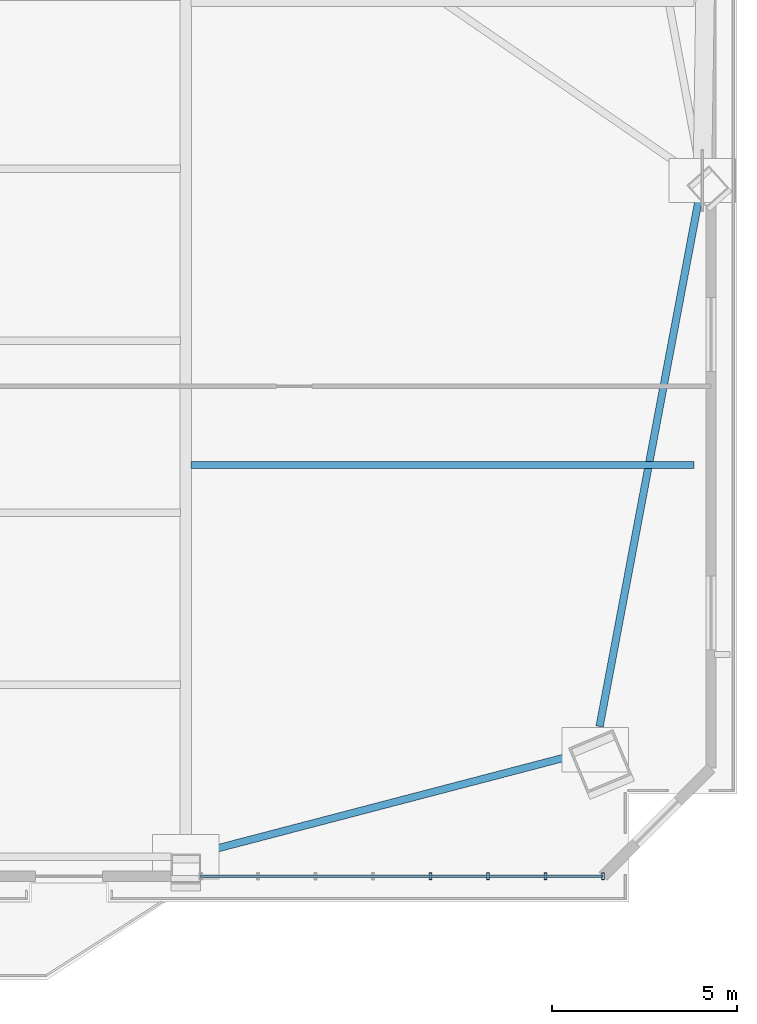
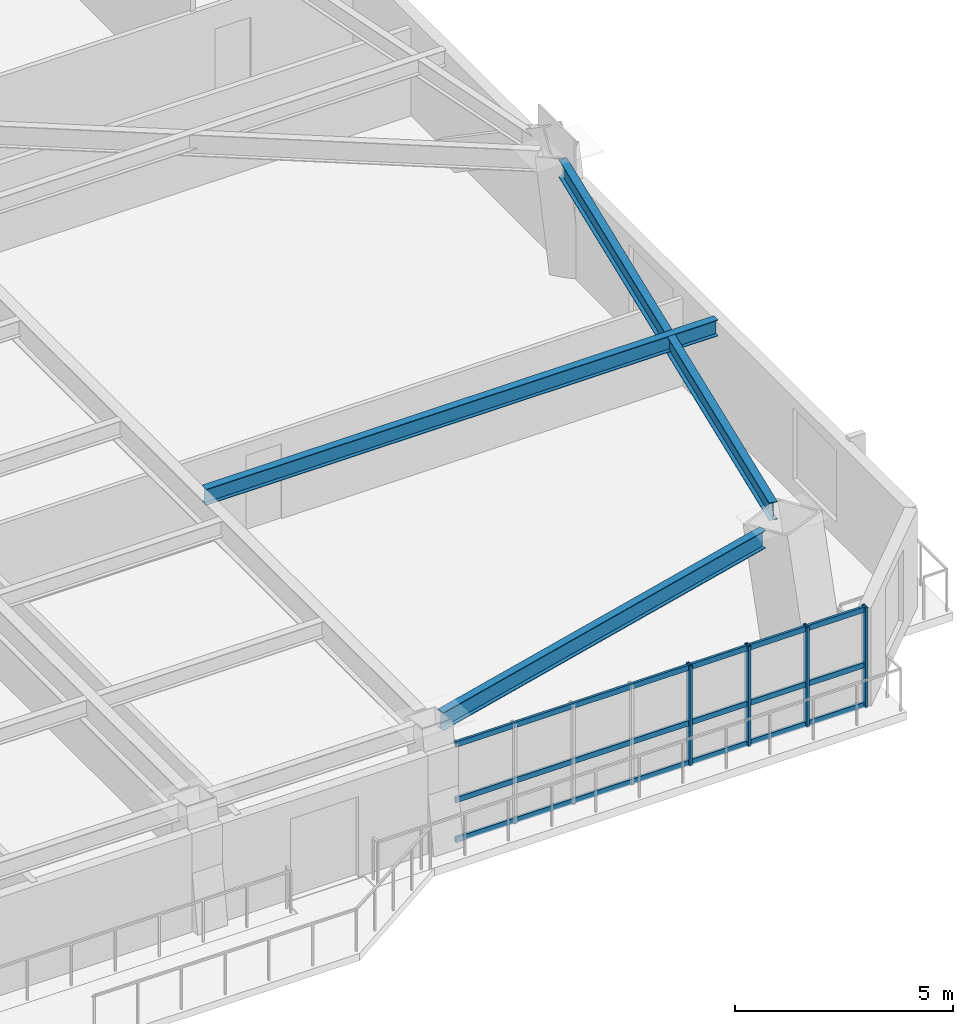
# One storey, part 5 of 16: 7 members, 3 beams, 1 element without a shape of its own.
"""IFC4 building model written with IfcOpenShell, lengths in metres."""

from ifc_helpers import new_model, si_unit, direction, frame, origin, origin_2d, place, context, subcontext, project, spatial, hollow_rectangle, i_section, extrude, source, transform, mapped, material, layer, layer_set, material_profile, profile_set, type_object, element, aggregate, save


model = new_model("IFC4")

# Units and contexts
model_context = context("Model", 3, precision=1e-05, world=origin(), true_north=direction((0.0, 1.0)))
body_context = subcontext(model_context, "Body", "Model", "MODEL_VIEW")
ifc_project = project(units=[si_unit("LENGTHUNIT", "METRE"), si_unit("AREAUNIT", "SQUARE_METRE"), si_unit("VOLUMEUNIT", "CUBIC_METRE"), si_unit("PLANEANGLEUNIT", "RADIAN"), si_unit("MASSUNIT", "GRAM", prefix="KILO")], contexts=[model_context])

# Site, building, storey
site_placement = place(None, origin())
site = spatial("IfcSite", under=ifc_project, at=site_placement, CompositionType="ELEMENT")
building_placement = place(site_placement, origin())
building = spatial("IfcBuilding", under=site, at=building_placement, Name="Giltprow Tower", CompositionType="ELEMENT")
storey_placement = place(building_placement, frame((0.0, 0.0, 166.699951171875)))
storey = spatial("IfcBuildingStorey", under=building, at=storey_placement, Name="L41", CompositionType="ELEMENT", Elevation=166.699951171875)

# Beams
ifc_material_1 = material(Name="Structural steel Q355B", Category="steel")
ifc_material_profile_1 = material_profile(ifc_material_1, i_section(OverallWidth=0.199951171875, OverallDepth=0.5, WebThickness=0.010009765625, FlangeThickness=0.01611328125, at=origin_2d()), Name="HN 500x200x10x16")
ifc_profile_set_1 = profile_set([ifc_material_profile_1], Name="Structural steel Q355B")
beam_type_1 = type_object("IfcBeamType", Name="BM-SPAN-HN500", PredefinedType="SPANDREL", material=ifc_profile_set_1)
shared_shape_1 = source(origin(), body_context, "Body", "SweptSolid", [
    extrude(i_section(OverallWidth=0.199951171875, OverallDepth=0.5, WebThickness=0.010009765625, FlangeThickness=0.01611328125, at=origin_2d()), origin(), (0.0, 0.0, 1.0), 10.395751953125),
])
beam_1_placement = place(storey_placement, frame((50.922119140625, 9.722900390625, 3.02001953125), z_axis=(0.967491208498, 0.252904648987, 0.0), x_axis=(-0.252904648987, 0.967491208498, 0.0)))
element("IfcBeam", 1, at=beam_1_placement, inside=storey, type_object=beam_type_1, Name="L41 Perimeter Spandrel Beam S4-MC_SE", PredefinedType="SPANDREL", context=body_context, shape_type="MappedRepresentation", body=[
    mapped(shared_shape_1, transform((0.0, 0.0, 0.0), x_axis=(1.0, 0.0, 0.0), y_axis=(0.0, 1.0, 0.0), z_axis=(0.0, 0.0, 1.0), scale=1.0)),
])
shared_shape_2 = source(origin(), body_context, "Body", "SweptSolid", [
    extrude(i_section(OverallWidth=0.199951171875, OverallDepth=0.5, WebThickness=0.010009765625, FlangeThickness=0.01611328125, at=origin_2d()), origin(), (0.0, 0.0, 1.0), 14.599853515625),
])
beam_2_placement = place(storey_placement, frame((61.7109375, 13.136962890625, 3.02001953125), z_axis=(0.184863999795, 0.982764112888, 0.0), x_axis=(-0.982764112888, 0.184863999795, 0.0)))
element("IfcBeam", 2, at=beam_2_placement, inside=storey, type_object=beam_type_1, Name="L41 Perimeter Spandrel Beam MC_SE-E_MID", PredefinedType="SPANDREL", context=body_context, shape_type="MappedRepresentation", body=[
    mapped(shared_shape_2, transform((0.0, 0.0, 0.0), x_axis=(1.0, 0.0, 0.0), y_axis=(0.0, 1.0, 0.0), z_axis=(0.0, 0.0, 1.0), scale=1.0)),
])
ifc_material_profile_2 = material_profile(ifc_material_1, i_section(OverallWidth=0.199951171875, OverallDepth=0.449951171875, WebThickness=0.009033203125, FlangeThickness=0.013916015625, at=origin_2d()), Name="HN 450x200x9x14")
ifc_profile_set_2 = profile_set([ifc_material_profile_2], Name="Structural steel Q355B")
beam_type_2 = type_object("IfcBeamType", Name="BM-JOIST-HN450", PredefinedType="JOIST", material=ifc_profile_set_2)
shared_shape_3 = source(origin(), body_context, "Body", "SweptSolid", [
    extrude(i_section(OverallWidth=0.199951171875, OverallDepth=0.449951171875, WebThickness=0.009033203125, FlangeThickness=0.013916015625, at=origin_2d()), origin(), (0.0, 0.0, 1.0), 13.56591796875),
])
beam_3_placement = place(storey_placement, frame((50.695068359375, 20.18798828125, 3.045166015625), z_axis=(1.0, 0.0, 0.0), x_axis=(0.0, 1.0, 0.0)))
element("IfcBeam", 3, at=beam_3_placement, inside=storey, type_object=beam_type_2, Name="L41 East Wing Floor Joist 1", PredefinedType="JOIST", context=body_context, shape_type="MappedRepresentation", body=[
    mapped(shared_shape_3, transform((0.0, 0.0, 0.0), x_axis=(1.0, 0.0, 0.0), y_axis=(0.0, 1.0, 0.0), z_axis=(0.0, 0.0, 1.0), scale=1.0)),
])

# Curtain wall, members
ifc_material_2 = material(Name="Anodized bronze", Category="metal")
ifc_layer = layer(ifc_material_2, 0.179931640625, Name="Anodized bronze")
ifc_layer_set = layer_set([ifc_layer], Name="Anodized bronze")
curtain_wall_type = type_object("IfcCurtainWallType", Name="CW-HTL-BRONZE", PredefinedType="NOTDEFINED", material=ifc_layer_set)
curtain_wall_placement = place(storey_placement, origin())
curtain_wall = element("IfcCurtainWall", 4, at=curtain_wall_placement, inside=storey, type_object=curtain_wall_type, Name="L41 South Recessed Curtain Wall 6", PredefinedType="NOTDEFINED")
ifc_material_profile_3 = material_profile(ifc_material_2, hollow_rectangle(XDim=0.074951171875, YDim=0.179931640625, WallThickness=0.008056640625, at=origin_2d()), Name="RHS 180x75x8")
ifc_profile_set_3 = profile_set([ifc_material_profile_3], Name="Anodized bronze")
member_type_1 = type_object("IfcMemberType", Name="CW-MULLION-180x75", PredefinedType="MULLION", material=ifc_profile_set_3)
shared_shape_4 = source(origin(), body_context, "Body", "SweptSolid", [
    extrude(hollow_rectangle(XDim=0.074951171875, YDim=0.179931640625, WallThickness=0.008056640625, at=origin_2d()), origin(), (0.0, 0.0, 1.0), 2.80517578125),
])
member_1_placement = place(storey_placement, frame((57.152099609375, 9.097900390625, -0.02001953125), z_axis=(0.0, 0.0, 1.0), x_axis=(1.0, 0.0, 0.0)))
member_1 = element("IfcMember", 5, at=member_1_placement, type_object=member_type_1, Name="L41 South Recessed Curtain Wall 6 Mullion 5", PredefinedType="MULLION", context=body_context, shape_type="MappedRepresentation", body=[
    mapped(shared_shape_4, transform((0.0, 0.0, 0.0), x_axis=(1.0, 0.0, 0.0), y_axis=(0.0, 1.0, 0.0), z_axis=(0.0, 0.0, 1.0), scale=1.0)),
])
member_2_placement = place(storey_placement, frame((58.701904296875, 9.097900390625, -0.02001953125), z_axis=(0.0, 0.0, 1.0), x_axis=(1.0, 0.0, 0.0)))
member_2 = element("IfcMember", 6, at=member_2_placement, type_object=member_type_1, Name="L41 South Recessed Curtain Wall 6 Mullion 6", PredefinedType="MULLION", context=body_context, shape_type="MappedRepresentation", body=[
    mapped(shared_shape_4, transform((0.0, 0.0, 0.0), x_axis=(1.0, 0.0, 0.0), y_axis=(0.0, 1.0, 0.0), z_axis=(0.0, 0.0, 1.0), scale=1.0)),
])
member_3_placement = place(storey_placement, frame((60.2529296875, 9.097900390625, -0.02001953125), z_axis=(0.0, 0.0, 1.0), x_axis=(1.0, 0.0, 0.0)))
member_3 = element("IfcMember", 7, at=member_3_placement, type_object=member_type_1, Name="L41 South Recessed Curtain Wall 6 Mullion 7", PredefinedType="MULLION", context=body_context, shape_type="MappedRepresentation", body=[
    mapped(shared_shape_4, transform((0.0, 0.0, 0.0), x_axis=(1.0, 0.0, 0.0), y_axis=(0.0, 1.0, 0.0), z_axis=(0.0, 0.0, 1.0), scale=1.0)),
])
member_4_placement = place(storey_placement, frame((61.802978515625, 9.097900390625, -0.02001953125), z_axis=(0.0, 0.0, 1.0), x_axis=(1.0, 0.0, 0.0)))
member_4 = element("IfcMember", 8, at=member_4_placement, type_object=member_type_1, Name="L41 South Recessed Curtain Wall 6 Mullion 8", PredefinedType="MULLION", context=body_context, shape_type="MappedRepresentation", body=[
    mapped(shared_shape_4, transform((0.0, 0.0, 0.0), x_axis=(1.0, 0.0, 0.0), y_axis=(0.0, 1.0, 0.0), z_axis=(0.0, 0.0, 1.0), scale=1.0)),
])
ifc_material_profile_4 = material_profile(ifc_material_2, hollow_rectangle(XDim=0.06494140625, YDim=0.14990234375, WallThickness=0.006103515625, at=origin_2d()), Name="RHS 150x65x6")
ifc_profile_set_4 = profile_set([ifc_material_profile_4], Name="Anodized bronze")
member_type_2 = type_object("IfcMemberType", Name="CW-TRANSOM-150x65", PredefinedType="USERDEFINED", material=ifc_profile_set_4)
shared_shape_5 = source(origin(), body_context, "Body", "SweptSolid", [
    extrude(hollow_rectangle(XDim=0.06494140625, YDim=0.14990234375, WallThickness=0.006103515625, at=origin_2d()), origin(), (0.0, 0.0, 1.0), 10.85302734375),
])
member_5_placement = place(storey_placement, frame((50.949951171875, 9.097900390625, 0.0400390625), z_axis=(1.0, 0.0, 0.0), x_axis=(0.0, 1.0, 0.0)))
member_5 = element("IfcMember", 9, at=member_5_placement, type_object=member_type_2, Name="L41 South Recessed Curtain Wall 6 Transom 1", ObjectType="TRANSOM", PredefinedType="USERDEFINED", context=body_context, shape_type="MappedRepresentation", body=[
    mapped(shared_shape_5, transform((0.0, 0.0, 0.0), x_axis=(1.0, 0.0, 0.0), y_axis=(0.0, 1.0, 0.0), z_axis=(0.0, 0.0, 1.0), scale=1.0)),
])
member_6_placement = place(storey_placement, frame((50.949951171875, 9.097900390625, 1.155029296875), z_axis=(1.0, 0.0, 0.0), x_axis=(0.0, 1.0, 0.0)))
member_6 = element("IfcMember", 10, at=member_6_placement, type_object=member_type_2, Name="L41 South Recessed Curtain Wall 6 Transom 2", ObjectType="TRANSOM", PredefinedType="USERDEFINED", context=body_context, shape_type="MappedRepresentation", body=[
    mapped(shared_shape_5, transform((0.0, 0.0, 0.0), x_axis=(1.0, 0.0, 0.0), y_axis=(0.0, 1.0, 0.0), z_axis=(0.0, 0.0, 1.0), scale=1.0)),
])
member_7_placement = place(storey_placement, frame((50.949951171875, 9.097900390625, 2.7099609375), z_axis=(1.0, 0.0, 0.0), x_axis=(0.0, 1.0, 0.0)))
member_7 = element("IfcMember", 11, at=member_7_placement, type_object=member_type_2, Name="L41 South Recessed Curtain Wall 6 Transom 3", ObjectType="TRANSOM", PredefinedType="USERDEFINED", context=body_context, shape_type="MappedRepresentation", body=[
    mapped(shared_shape_5, transform((0.0, 0.0, 0.0), x_axis=(1.0, 0.0, 0.0), y_axis=(0.0, 1.0, 0.0), z_axis=(0.0, 0.0, 1.0), scale=1.0)),
])
aggregate(curtain_wall, [member_1, member_2, member_3, member_4, member_5, member_6, member_7])

save(model, "model.ifc")
